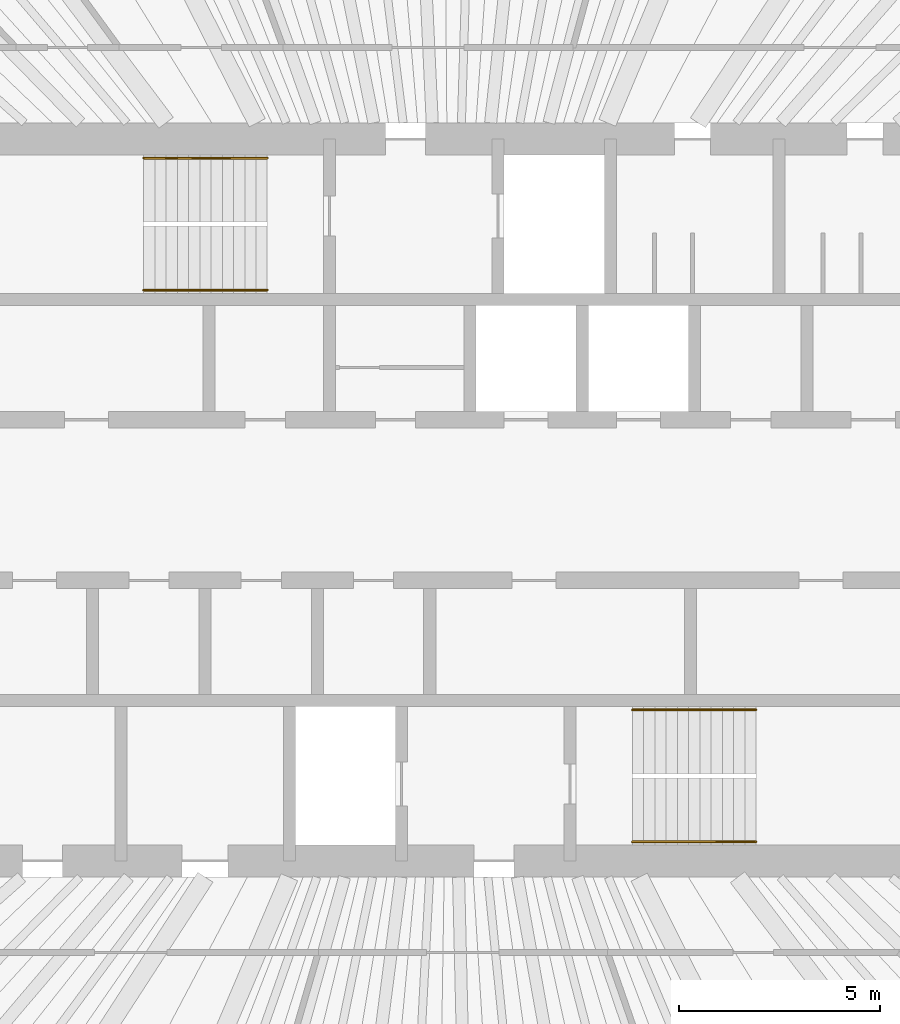
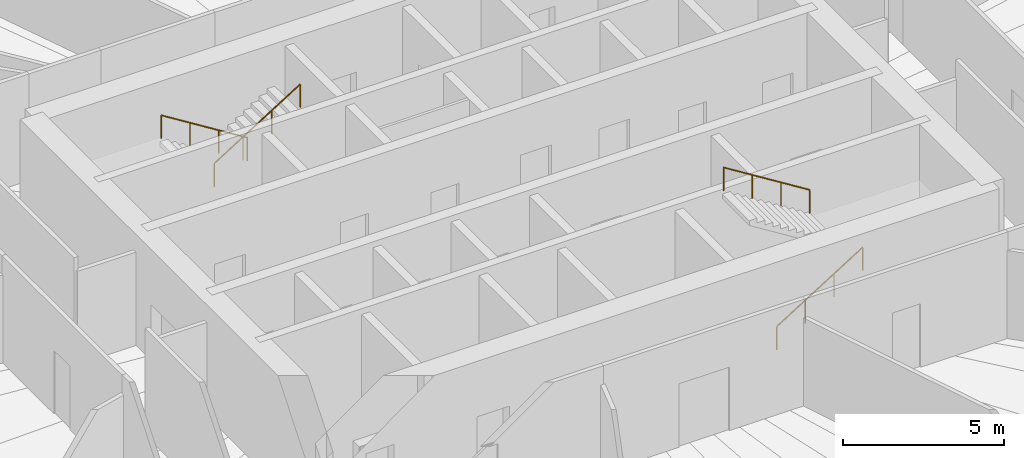
# One storey, part 14 of 14: 4 railings.
"""IFC4 building model written with IfcOpenShell, lengths in metres."""

import ifcopenshell
import ifcopenshell.guid

model = None  # the IFC model being written
_history = None  # IfcOwnerHistory: only IFC2X3 demands one
_inside = {}  # id of a spatial element -> (the spatial element, [elements in it])
_under = {}  # id of a project, library or spatial element -> (it, [spatial elements below it])
_declared = {}  # id of a project -> (the project, [libraries it declares])
_typed = {}  # id of a type object -> (the type object, [elements of that type])
_made_of = {}  # id of a material, layer set ... -> (it, [elements and type objects made of it])


def new_model(schema):
    """Start an empty IFC model of exactly this schema.

    Asked for "IFC4X3", IfcOpenShell would pick the latest addendum, in which some entities
    have other attributes; the version numbers below select the first issue.
    IFC2X3 requires an IfcOwnerHistory on every rooted entity: one is made here for all.
    """
    global model, _history
    if schema == "IFC4X3":
        model = ifcopenshell.file(schema_version=(4, 3, 0, 0))
    else:
        model = ifcopenshell.file(schema=schema)
    _inside.clear()
    _under.clear()
    _declared.clear()
    _typed.clear()
    _made_of.clear()
    _history = None
    if model.schema == "IFC2X3":
        org = make("IfcOrganization", Name="unknown")
        user = make(
            "IfcPersonAndOrganization",
            ThePerson=make("IfcPerson", FamilyName="unknown"),
            TheOrganization=org,
        )
        app = make(
            "IfcApplication",
            ApplicationDeveloper=org,
            Version="unknown",
            ApplicationFullName="unknown",
            ApplicationIdentifier="unknown",
        )
        _history = make(
            "IfcOwnerHistory",
            OwningUser=user,
            OwningApplication=app,
            ChangeAction="ADDED",
            CreationDate=0,
        )
    return model


def make(cls, **values):
    """One entity of the class cls with the attributes given. An attribute that is None is left unset."""
    return model.create_entity(
        cls, **{name: value for name, value in values.items() if value is not None}
    )


def rooted(cls, **values):
    """An entity with a GlobalId (a new one), such as an element, a storey or a relation."""
    return make(cls, GlobalId=ifcopenshell.guid.new(), OwnerHistory=_history, **values)


def si_unit(unit_type, name, prefix=None):
    """IfcSIUnit, for example si_unit("LENGTHUNIT", "METRE", prefix="MILLI")."""
    return make("IfcSIUnit", UnitType=unit_type, Prefix=prefix, Name=name)


def assignment(units):
    """IfcUnitAssignment: the units of a project."""
    return None if units is None else make("IfcUnitAssignment", Units=units)


def point(xyz):
    """IfcCartesianPoint."""
    return None if xyz is None else make("IfcCartesianPoint", Coordinates=xyz)


def direction(xyz):
    """IfcDirection."""
    return None if xyz is None else make("IfcDirection", DirectionRatios=xyz)


def frame(location, z_axis=None, x_axis=None):
    """IfcAxis2Placement3D, a coordinate frame: its origin and axes. An axis left out is left unset."""
    return make(
        "IfcAxis2Placement3D",
        Location=point(location),
        Axis=direction(z_axis),
        RefDirection=direction(x_axis),
    )


def frame_2d(location, x_axis=None):
    """IfcAxis2Placement2D, a coordinate frame in the plane: its origin and x axis."""
    return make(
        "IfcAxis2Placement2D", Location=point(location), RefDirection=direction(x_axis)
    )


def origin():
    """The frame at (0, 0, 0) with its axes left unset."""
    return frame((0.0, 0.0, 0.0))


def origin_2d():
    """The frame at (0, 0) in the plane with its x axis left unset."""
    return frame_2d((0.0, 0.0))


def place(relative_to, where):
    """IfcLocalPlacement: puts the frame where relative to a parent placement (None: the world)."""
    return make(
        "IfcLocalPlacement", PlacementRelTo=relative_to, RelativePlacement=where
    )


def context(
    kind, dimensions, precision=None, world=None, true_north=None, identifier=None
):
    """IfcGeometricRepresentationContext, for example the 3D "Model" context."""
    return make(
        "IfcGeometricRepresentationContext",
        ContextIdentifier=identifier,
        ContextType=kind,
        CoordinateSpaceDimension=dimensions,
        Precision=precision,
        WorldCoordinateSystem=world,
        TrueNorth=true_north,
    )


def subcontext(parent, identifier, kind, view, scale=None):
    """IfcGeometricRepresentationSubContext, for example "Body" below "Model"."""
    return make(
        "IfcGeometricRepresentationSubContext",
        ContextIdentifier=identifier,
        ContextType=kind,
        ParentContext=parent,
        TargetScale=scale,
        TargetView=view,
    )


def project(units=None, contexts=None):
    """IfcProject with its units and contexts."""
    return rooted(
        "IfcProject",
        Name="project",
        RepresentationContexts=contexts,
        UnitsInContext=assignment(units),
    )


def spatial(cls, under=None, at=None, **own):
    """A site, building, storey or space (cls), placed at a placement, below another one or the project."""
    s = rooted(cls, ObjectPlacement=at, **own)
    if under is not None:
        _under.setdefault(under.id(), (under, []))[1].append(s)
    return s


def profile(cls, at=None, kind="AREA", **sizes):
    """A parametric profile (cls). Its sizes go by their IFC names, for example OverallWidth=200.0."""
    return make(cls, ProfileType=kind, Position=at, **sizes)


def circle(**sizes):
    """IfcCircleProfileDef."""
    return profile("IfcCircleProfileDef", **sizes)


def extrude(swept, where, along, depth):
    """IfcExtrudedAreaSolid: the profile swept, set in the frame where, extruded along a direction by depth."""
    return make(
        "IfcExtrudedAreaSolid",
        SweptArea=swept,
        Position=where,
        ExtrudedDirection=direction(along),
        Depth=depth,
    )


def shape(context_of_items, identifier, shape_type, items):
    """IfcShapeRepresentation: the items that make up one representation, for example the "Body"."""
    return make(
        "IfcShapeRepresentation",
        ContextOfItems=context_of_items,
        RepresentationIdentifier=identifier,
        RepresentationType=shape_type,
        Items=items,
    )


def material(Name=None, Category=None):
    """IfcMaterial."""
    return make("IfcMaterial", Name=Name, Category=Category)


def made_of(thing, what):
    """Note that an element or type object is made of a material, layer set ...; save() writes the relation."""
    if what is not None:
        _made_of.setdefault(what.id(), (what, []))[1].append(thing)
    return thing


def type_object(cls, material=None, **own):
    """A type object (cls), such as IfcWallType, which elements share."""
    return made_of(rooted(cls, **own), material)


def element(
    cls,
    number,
    at=None,
    inside=None,
    cuts=None,
    type_object=None,
    material=None,
    context=None,
    identifier="Body",
    shape_type=None,
    held_by="IfcProductDefinitionShape",
    body=None,
    shapes=None,
    **own,
):
    """One element of the class cls, such as IfcWall. Its Tag is "e" and its number.

    at: its placement. inside: the storey or other place that contains it. cuts: it is an
    opening in that element (IfcRelVoidsElement). A single representation is given by context,
    identifier, shape_type and body (its items); several are given by shapes. held_by: the class
    of the entity that holds the representations. save() writes the other relations.
    """
    e = rooted(cls, Tag="e%d" % number, ObjectPlacement=at, **own)
    if body is not None:
        shapes = [shape(context, identifier, shape_type, body)]
    if shapes is not None:
        e.Representation = make(held_by, Representations=shapes)
    if inside is not None:
        _inside.setdefault(inside.id(), (inside, []))[1].append(e)
    if cuts is not None:
        rooted(
            "IfcRelVoidsElement", RelatingBuildingElement=cuts, RelatedOpeningElement=e
        )
    if type_object is not None:
        _typed.setdefault(type_object.id(), (type_object, []))[1].append(e)
    return made_of(e, material)


def aggregate(whole, parts):
    """IfcRelAggregates: a whole, such as a stair, and the parts it consists of."""
    return rooted("IfcRelAggregates", RelatingObject=whole, RelatedObjects=parts)


def save(model, path):
    """Write the relations noted so far, then the file.

    IfcRelAggregates (storeys below a building ...), IfcRelContainedInSpatialStructure (elements
    in a storey), IfcRelDefinesByType, IfcRelAssociatesMaterial and IfcRelDeclares: one each for
    every whole, place, type object, material and project.
    """
    for whole, parts in _under.values():
        aggregate(whole, parts)
    for where, things in _inside.values():
        rooted(
            "IfcRelContainedInSpatialStructure",
            RelatedElements=things,
            RelatingStructure=where,
        )
    for kind, things in _typed.values():
        rooted("IfcRelDefinesByType", RelatedObjects=things, RelatingType=kind)
    for what, things in _made_of.values():
        rooted("IfcRelAssociatesMaterial", RelatedObjects=things, RelatingMaterial=what)
    for by, libraries in _declared.values():
        rooted("IfcRelDeclares", RelatingContext=by, RelatedDefinitions=libraries)
    model.write(path)


model = new_model("IFC4")

# Units and contexts
model_context = context("Model", 3, precision=1e-05, world=origin(), true_north=direction((0.0, 1.0)))
body_context = subcontext(model_context, "Body", "Model", "MODEL_VIEW")
ifc_project = project(units=[si_unit("LENGTHUNIT", "METRE"), si_unit("AREAUNIT", "SQUARE_METRE"), si_unit("VOLUMEUNIT", "CUBIC_METRE"), si_unit("PLANEANGLEUNIT", "RADIAN"), si_unit("MASSUNIT", "GRAM", prefix="KILO")], contexts=[model_context])

# Site, building, storey
site_placement = place(None, origin())
site = spatial("IfcSite", under=ifc_project, at=site_placement, CompositionType="ELEMENT")
building_placement = place(site_placement, origin())
building = spatial("IfcBuilding", under=site, at=building_placement, Name="Qingtian Harvest Tower", CompositionType="ELEMENT")
storey_placement = place(building_placement, frame((0.0, 0.0, 320.800048828125)))
storey = spatial("IfcBuildingStorey", under=building, at=storey_placement, Name="L71", CompositionType="ELEMENT", Elevation=320.800048828125)

# Railings
ifc_material = material(Name="Stainless steel handrail", Category="steel")
railing_type = type_object("IfcRailingType", Name="Handrail HR1", PredefinedType="HANDRAIL", material=ifc_material)
railing_1_placement = place(storey_placement, frame((-4.550048828125, 8.52001953125, 0.175048828125)))
element("IfcRailing", 1, at=railing_1_placement, inside=storey, type_object=railing_type, Name="Handrail HR1 S1 flight 1", PredefinedType="HANDRAIL", context=body_context, shape_type="SweptSolid", body=[
    extrude(circle(Radius=0.02392578125, at=origin_2d()), frame((0.0, 0.0, 0.8759765625), z_axis=(-0.848009633417, 0.0, 0.529980812513), x_axis=(0.0, -1.0, 0.0)), (0.0, 0.0, 1.0), 3.6318359375),
    extrude(circle(Radius=0.02099609375, at=origin_2d()), origin(), (0.0, 0.0, 1.0), 0.851806640625),
    extrude(circle(Radius=0.02099609375, at=origin_2d()), frame((-1.026611328125, 0.0, 0.6416015625)), (0.0, 0.0, 1.0), 0.851806640625),
    extrude(circle(Radius=0.02099609375, at=origin_2d()), frame((-2.05322265625, 0.0, 1.283203125)), (0.0, 0.0, 1.0), 0.851806640625),
    extrude(circle(Radius=0.02099609375, at=origin_2d()), frame((-3.079833984375, 0.0, 1.9248046875)), (0.0, 0.0, 1.0), 0.851806640625),
])
railing_2_placement = place(storey_placement, frame((-7.6298828125, 5.22998046875, 2.27490234375)))
element("IfcRailing", 2, at=railing_2_placement, inside=storey, type_object=railing_type, Name="Handrail HR1 S1 flight 2", PredefinedType="HANDRAIL", context=body_context, shape_type="SweptSolid", body=[
    extrude(circle(Radius=0.02392578125, at=origin_2d()), frame((0.0, 0.0, 0.8759765625), z_axis=(0.847979421464, 0.0, 0.530029150871), x_axis=(0.0, 1.0, 0.0)), (0.0, 0.0, 1.0), 3.632080078125),
    extrude(circle(Radius=0.02099609375, at=origin_2d()), origin(), (0.0, 0.0, 1.0), 0.851806640625),
    extrude(circle(Radius=0.02099609375, at=origin_2d()), frame((1.026611328125, 0.0, 0.6416015625)), (0.0, 0.0, 1.0), 0.851806640625),
    extrude(circle(Radius=0.02099609375, at=origin_2d()), frame((2.05322265625, 0.0, 1.283447265625)), (0.0, 0.0, 1.0), 0.851806640625),
    extrude(circle(Radius=0.02099609375, at=origin_2d()), frame((3.079833984375, 0.0, 1.925048828125)), (0.0, 0.0, 1.0), 0.851806640625),
])
railing_3_placement = place(storey_placement, frame((4.550048828125, -8.52001953125, 0.175048828125)))
element("IfcRailing", 3, at=railing_3_placement, inside=storey, type_object=railing_type, Name="Handrail HR1 S2 flight 1", PredefinedType="HANDRAIL", context=body_context, shape_type="SweptSolid", body=[
    extrude(circle(Radius=0.02392578125, at=origin_2d()), frame((0.0, 0.0, 0.8759765625), z_axis=(0.848009633417, 0.0, 0.529980812513), x_axis=(0.0, 1.0, 0.0)), (0.0, 0.0, 1.0), 3.6318359375),
    extrude(circle(Radius=0.02099609375, at=origin_2d()), origin(), (0.0, 0.0, 1.0), 0.851806640625),
    extrude(circle(Radius=0.02099609375, at=origin_2d()), frame((1.026611328125, 0.0, 0.6416015625)), (0.0, 0.0, 1.0), 0.851806640625),
    extrude(circle(Radius=0.02099609375, at=origin_2d()), frame((2.05322265625, 0.0, 1.283203125)), (0.0, 0.0, 1.0), 0.851806640625),
    extrude(circle(Radius=0.02099609375, at=origin_2d()), frame((3.079833984375, 0.0, 1.9248046875)), (0.0, 0.0, 1.0), 0.851806640625),
])
railing_4_placement = place(storey_placement, frame((7.6298828125, -5.22998046875, 2.27490234375)))
element("IfcRailing", 4, at=railing_4_placement, inside=storey, type_object=railing_type, Name="Handrail HR1 S2 flight 2", PredefinedType="HANDRAIL", context=body_context, shape_type="SweptSolid", body=[
    extrude(circle(Radius=0.02392578125, at=origin_2d()), frame((0.0, 0.0, 0.8759765625), z_axis=(-0.847979421464, 0.0, 0.530029150871), x_axis=(0.0, -1.0, 0.0)), (0.0, 0.0, 1.0), 3.632080078125),
    extrude(circle(Radius=0.02099609375, at=origin_2d()), origin(), (0.0, 0.0, 1.0), 0.851806640625),
    extrude(circle(Radius=0.02099609375, at=origin_2d()), frame((-1.026611328125, 0.0, 0.6416015625)), (0.0, 0.0, 1.0), 0.851806640625),
    extrude(circle(Radius=0.02099609375, at=origin_2d()), frame((-2.05322265625, 0.0, 1.283447265625)), (0.0, 0.0, 1.0), 0.851806640625),
    extrude(circle(Radius=0.02099609375, at=origin_2d()), frame((-3.079833984375, 0.0, 1.925048828125)), (0.0, 0.0, 1.0), 0.851806640625),
])

save(model, "model.ifc")
